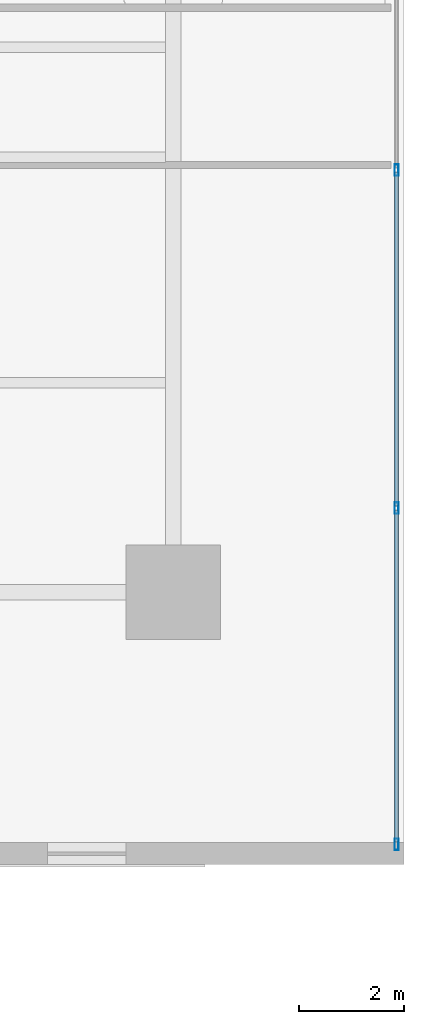
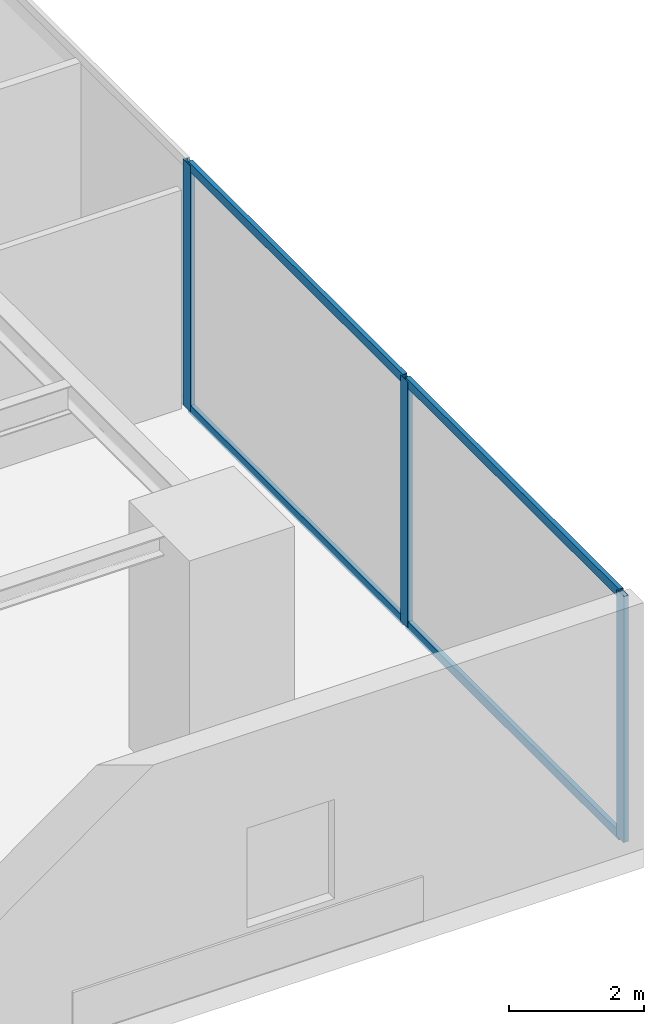
# One storey, part 8 of 17: 7 members, 1 element without a shape of its own.
"""IFC4 building model written with IfcOpenShell, lengths in metres."""

from ifc_helpers import new_model, si_unit, direction, frame, origin, origin_with_axes, origin_2d, place, context, subcontext, project, spatial, hollow_rectangle, extrude, source, transform, mapped, material, layer, layer_set, material_profile, profile_set, type_object, element, aggregate, save


model = new_model("IFC4")

# Units and contexts
model_context = context("Model", 3, precision=1e-05, world=origin(), true_north=direction((0.0, 1.0)))
body_context = subcontext(model_context, "Body", "Model", "MODEL_VIEW")
ifc_project = project(units=[si_unit("LENGTHUNIT", "METRE"), si_unit("AREAUNIT", "SQUARE_METRE"), si_unit("VOLUMEUNIT", "CUBIC_METRE"), si_unit("PLANEANGLEUNIT", "RADIAN"), si_unit("MASSUNIT", "GRAM", prefix="KILO")], contexts=[model_context])

# Site, building, storey
site_placement = place(None, origin())
site = spatial("IfcSite", under=ifc_project, at=site_placement, CompositionType="ELEMENT")
building_placement = place(site_placement, origin())
building = spatial("IfcBuilding", under=site, at=building_placement, Name="Kolvaren Waterfront Exchange", CompositionType="ELEMENT")
storey_placement = place(building_placement, frame((0.0, 0.0, 5.60009765625)))
storey = spatial("IfcBuildingStorey", under=building, at=storey_placement, Name="L02", CompositionType="ELEMENT", Elevation=5.60009765625)

# Curtain wall, members
ifc_material_1 = material(Name="Anodised bronze aluminium 6063-T6", Category="aluminium")
ifc_layer = layer(ifc_material_1, 0.219970703125, Name="Anodised bronze aluminium 6063-T6")
ifc_layer_set = layer_set([ifc_layer], Name="Anodised bronze aluminium 6063-T6")
curtain_wall_type = type_object("IfcCurtainWallType", Name="ARC-CW-SYS4", PredefinedType="USERDEFINED", material=ifc_layer_set)
curtain_wall_placement = place(storey_placement, origin())
curtain_wall = element("IfcCurtainWall", 1, at=curtain_wall_placement, inside=storey, type_object=curtain_wall_type, Name="L02 stick curtain wall CW4 (CW-L02-E1)", ObjectType="STICK CURTAIN WALL", PredefinedType="USERDEFINED")
ifc_material_2 = material(Name="Anodised aluminium 6063-T6", Category="aluminium")
ifc_material_profile_1 = material_profile(ifc_material_2, hollow_rectangle(XDim=0.080078125, YDim=0.219970703125, WallThickness=0.0048828125, at=origin_2d()), Name="ALU-MUL-220x80x5")
ifc_profile_set_1 = profile_set([ifc_material_profile_1], Name="Anodised aluminium 6063-T6")
member_type_1 = type_object("IfcMemberType", Name="ARC-CWM-220", PredefinedType="MULLION", material=ifc_profile_set_1)
shared_shape_1 = source(origin_with_axes(), body_context, "Body", "SweptSolid", [
    extrude(hollow_rectangle(XDim=0.080078125, YDim=0.219970703125, WallThickness=0.0048828125, at=origin_2d()), origin(), (0.0, 0.0, 1.0), 4.4599609375),
])
member_1_placement = place(storey_placement, frame((64.659912109375, 0.389892578125, 0.0), z_axis=(0.0, 0.0, 1.0), x_axis=(-1.0, 0.0, 0.0)))
member_1 = element("IfcMember", 2, at=member_1_placement, type_object=member_type_1, Name="CW4 mullion 1", PredefinedType="MULLION", context=body_context, shape_type="MappedRepresentation", body=[
    mapped(shared_shape_1, transform((0.0, 0.0, 0.0), x_axis=(1.0, 0.0, 0.0), y_axis=(0.0, 1.0, 0.0), z_axis=(0.0, 0.0, 1.0), scale=1.0)),
])
member_2_placement = place(storey_placement, frame((64.659912109375, 6.8017578125, 0.0), z_axis=(0.0, 0.0, 1.0), x_axis=(-1.0, 0.0, 0.0)))
member_2 = element("IfcMember", 3, at=member_2_placement, type_object=member_type_1, Name="CW4 mullion 2", PredefinedType="MULLION", context=body_context, shape_type="MappedRepresentation", body=[
    mapped(shared_shape_1, transform((0.0, 0.0, 0.0), x_axis=(1.0, 0.0, 0.0), y_axis=(0.0, 1.0, 0.0), z_axis=(0.0, 0.0, 1.0), scale=1.0)),
])
member_3_placement = place(storey_placement, frame((64.659912109375, 13.25341796875, 0.0), z_axis=(0.0, 0.0, 1.0), x_axis=(-1.0, 0.0, 0.0)))
member_3 = element("IfcMember", 4, at=member_3_placement, type_object=member_type_1, Name="CW4 mullion 3", PredefinedType="MULLION", context=body_context, shape_type="MappedRepresentation", body=[
    mapped(shared_shape_1, transform((0.0, 0.0, 0.0), x_axis=(1.0, 0.0, 0.0), y_axis=(0.0, 1.0, 0.0), z_axis=(0.0, 0.0, 1.0), scale=1.0)),
])
ifc_material_profile_2 = material_profile(ifc_material_2, hollow_rectangle(XDim=0.074951171875, YDim=0.159912109375, WallThickness=0.00439453125, at=origin_2d()), Name="ALU-TRN-160x75x4.5")
ifc_profile_set_2 = profile_set([ifc_material_profile_2], Name="Anodised aluminium 6063-T6")
member_type_2 = type_object("IfcMemberType", Name="ARC-CWT-160", PredefinedType="USERDEFINED", material=ifc_profile_set_2)
shared_shape_2 = source(origin_with_axes(), body_context, "Body", "SweptSolid", [
    extrude(hollow_rectangle(XDim=0.074951171875, YDim=0.159912109375, WallThickness=0.00439453125, at=origin_2d()), origin(), (0.0, 0.0, 1.0), 6.331787109375),
])
member_4_placement = place(storey_placement, frame((64.659912109375, 0.429931640625, 0.037353515625), z_axis=(0.0, 1.0, 0.0), x_axis=(-1.0, 0.0, 0.0)))
member_4 = element("IfcMember", 5, at=member_4_placement, type_object=member_type_2, Name="CW4 transom 1.1", ObjectType="TRANSOM", PredefinedType="USERDEFINED", context=body_context, shape_type="MappedRepresentation", body=[
    mapped(shared_shape_2, transform((0.0, 0.0, 0.0), x_axis=(1.0, 0.0, 0.0), y_axis=(0.0, 1.0, 0.0), z_axis=(0.0, 0.0, 1.0), scale=1.0)),
])
member_5_placement = place(storey_placement, frame((64.659912109375, 0.429931640625, 4.42236328125), z_axis=(0.0, 1.0, 0.0), x_axis=(-1.0, 0.0, 0.0)))
member_5 = element("IfcMember", 6, at=member_5_placement, type_object=member_type_2, Name="CW4 transom 1.2", ObjectType="TRANSOM", PredefinedType="USERDEFINED", context=body_context, shape_type="MappedRepresentation", body=[
    mapped(shared_shape_2, transform((0.0, 0.0, 0.0), x_axis=(1.0, 0.0, 0.0), y_axis=(0.0, 1.0, 0.0), z_axis=(0.0, 0.0, 1.0), scale=1.0)),
])
shared_shape_3 = source(origin_with_axes(), body_context, "Body", "SweptSolid", [
    extrude(hollow_rectangle(XDim=0.074951171875, YDim=0.159912109375, WallThickness=0.00439453125, at=origin_2d()), origin(), (0.0, 0.0, 1.0), 6.371826171875),
])
member_6_placement = place(storey_placement, frame((64.659912109375, 6.841552734375, 0.037353515625), z_axis=(0.0, 1.0, 0.0), x_axis=(-1.0, 0.0, 0.0)))
member_6 = element("IfcMember", 7, at=member_6_placement, type_object=member_type_2, Name="CW4 transom 2.1", ObjectType="TRANSOM", PredefinedType="USERDEFINED", context=body_context, shape_type="MappedRepresentation", body=[
    mapped(shared_shape_3, transform((0.0, 0.0, 0.0), x_axis=(1.0, 0.0, 0.0), y_axis=(0.0, 1.0, 0.0), z_axis=(0.0, 0.0, 1.0), scale=1.0)),
])
member_7_placement = place(storey_placement, frame((64.659912109375, 6.841552734375, 4.42236328125), z_axis=(0.0, 1.0, 0.0), x_axis=(-1.0, 0.0, 0.0)))
member_7 = element("IfcMember", 8, at=member_7_placement, type_object=member_type_2, Name="CW4 transom 2.2", ObjectType="TRANSOM", PredefinedType="USERDEFINED", context=body_context, shape_type="MappedRepresentation", body=[
    mapped(shared_shape_3, transform((0.0, 0.0, 0.0), x_axis=(1.0, 0.0, 0.0), y_axis=(0.0, 1.0, 0.0), z_axis=(0.0, 0.0, 1.0), scale=1.0)),
])
aggregate(curtain_wall, [member_1, member_2, member_3, member_4, member_5, member_6, member_7])

save(model, "model.ifc")
